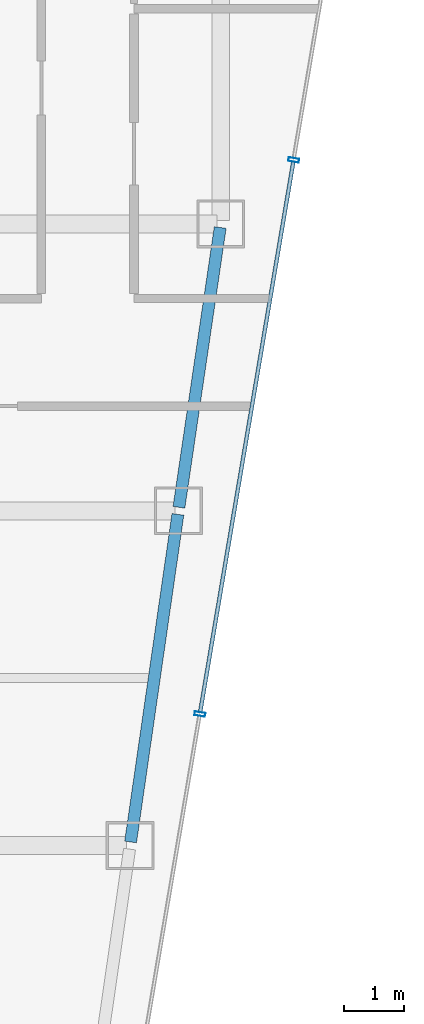
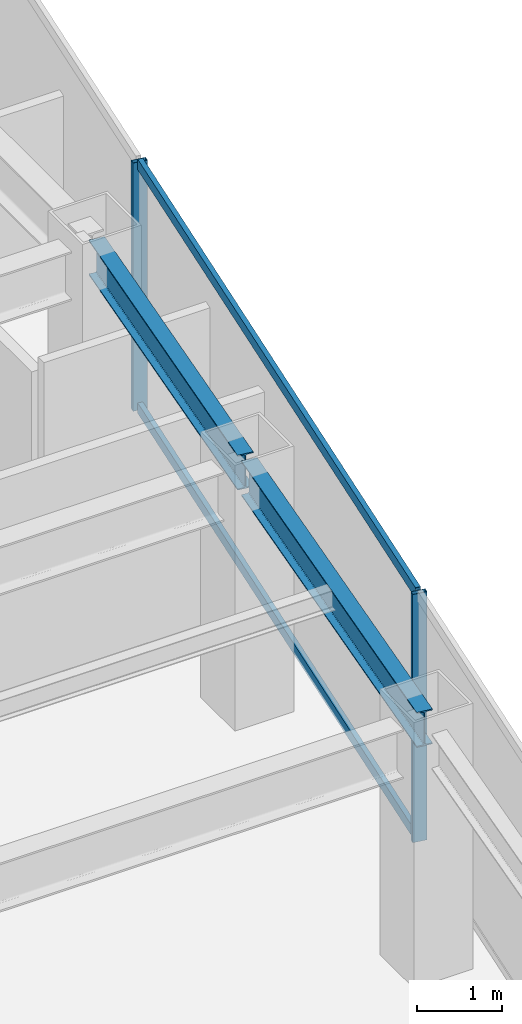
# One storey, part 22 of 35: 4 members, 2 beams, 1 element without a shape of its own.
"""IFC4 building model written with IfcOpenShell, lengths in metres."""

from ifc_helpers import new_model, si_unit, direction, frame, origin, origin_2d, place, context, subcontext, project, spatial, hollow_rectangle, i_section, extrude, material, material_profile, profile_set, type_object, element, aggregate, save


model = new_model("IFC4")

# Units and contexts
model_context = context("Model", 3, precision=1e-05, world=origin(), true_north=direction((0.0, 1.0)))
body_context = subcontext(model_context, "Body", "Model", "MODEL_VIEW")
ifc_project = project(units=[si_unit("LENGTHUNIT", "METRE"), si_unit("AREAUNIT", "SQUARE_METRE"), si_unit("VOLUMEUNIT", "CUBIC_METRE"), si_unit("PLANEANGLEUNIT", "RADIAN"), si_unit("MASSUNIT", "GRAM", prefix="KILO")], contexts=[model_context])

# Site, building, storey
site_placement = place(None, origin())
site = spatial("IfcSite", under=ifc_project, at=site_placement, CompositionType="ELEMENT")
building_placement = place(site_placement, origin())
building = spatial("IfcBuilding", under=site, at=building_placement, Name="Saevonmaru Cultural Tower", CompositionType="ELEMENT")
storey_placement = place(building_placement, frame((0.0, 0.0, 194.199951171875)))
storey = spatial("IfcBuildingStorey", under=building, at=storey_placement, Name="L44", CompositionType="ELEMENT", Elevation=194.199951171875)

# Beams
ifc_material_1 = material(Name="Steel SM355", Category="steel")
ifc_material_profile_1 = material_profile(ifc_material_1, i_section(OverallWidth=0.199951171875, OverallDepth=0.5, WebThickness=0.010009765625, FlangeThickness=0.01611328125, FilletRadius=0.02001953125, at=origin_2d()), Name="H-500x200x10x16")
ifc_profile_set_1 = profile_set([ifc_material_profile_1], Name="Steel SM355")
beam_type = type_object("IfcBeamType", Name="BM-SP-H500", PredefinedType="SPANDREL", material=ifc_profile_set_1)
beam_1_placement = place(storey_placement, frame((51.691650390625, 32.059326171875, 3.300048828125), z_axis=(0.142964121327, 0.989727871697, 0.0), x_axis=(-0.989727871697, 0.142964121327, 0.0)))
element("IfcBeam", 1, at=beam_1_placement, inside=storey, type_object=beam_type, Name="L44 East Splayed Spandrel 3", PredefinedType="SPANDREL", context=body_context, shape_type="SweptSolid", body=[
    extrude(i_section(OverallWidth=0.199951171875, OverallDepth=0.5, WebThickness=0.010009765625, FlangeThickness=0.01611328125, FilletRadius=0.02001953125, at=origin_2d()), origin(), (0.0, 0.0, 1.0), 5.5380859375),
])
beam_2_placement = place(storey_placement, frame((52.500732421875, 37.659423828125, 3.300048828125), z_axis=(0.145912860028, 0.989297446312, 0.0), x_axis=(-0.989297446312, 0.145912860028, 0.0)))
element("IfcBeam", 2, at=beam_2_placement, inside=storey, type_object=beam_type, Name="L44 East Splayed Spandrel 4", PredefinedType="SPANDREL", context=body_context, shape_type="SweptSolid", body=[
    extrude(i_section(OverallWidth=0.199951171875, OverallDepth=0.5, WebThickness=0.010009765625, FlangeThickness=0.01611328125, FilletRadius=0.02001953125, at=origin_2d()), origin(), (0.0, 0.0, 1.0), 4.731689453125),
])

# Curtain wall, members
ifc_material_2 = material(Name="Satin Bronze Anodised Aluminium", Category="aluminium")
curtain_wall_type = type_object("IfcCurtainWallType", Name="CW-TYP-B", PredefinedType="NOTDEFINED", material=ifc_material_2)
curtain_wall_placement = place(storey_placement, origin())
curtain_wall = element("IfcCurtainWall", 3, at=curtain_wall_placement, inside=storey, type_object=curtain_wall_type, Name="L44 Unitised Curtain Wall E8", PredefinedType="NOTDEFINED")
ifc_material_profile_2 = material_profile(ifc_material_2, hollow_rectangle(XDim=0.06494140625, YDim=0.179931640625, WallThickness=0.00390625, at=origin_2d()), Name="ALU-MULL-180x65x4")
ifc_profile_set_2 = profile_set([ifc_material_profile_2], Name="Satin Bronze Anodised Aluminium")
member_type_1 = type_object("IfcMemberType", Name="ML-CW-180x65", PredefinedType="MULLION", material=ifc_profile_set_2)
member_1_placement = place(storey_placement, frame((52.85107421875, 34.199951171875, 0.0), z_axis=(0.0, 0.0, 1.0), x_axis=(0.16692169721, 0.985970155228, 0.0)))
member_1 = element("IfcMember", 4, at=member_1_placement, type_object=member_type_1, Name="CW-TW-L44-E8 mullion 3", PredefinedType="MULLION", context=body_context, shape_type="SweptSolid", body=[
    extrude(hollow_rectangle(XDim=0.06494140625, YDim=0.179931640625, WallThickness=0.00390625, at=origin_2d()), origin(), (0.0, 0.0, 1.0), 3.550048828125),
])
member_2_placement = place(storey_placement, frame((54.420654296875, 43.470458984375, 0.0), z_axis=(0.0, 0.0, 1.0), x_axis=(0.16692169721, 0.985970155228, 0.0)))
member_2 = element("IfcMember", 5, at=member_2_placement, type_object=member_type_1, Name="CW-TW-L44-E8 mullion 4", PredefinedType="MULLION", context=body_context, shape_type="SweptSolid", body=[
    extrude(hollow_rectangle(XDim=0.06494140625, YDim=0.179931640625, WallThickness=0.00390625, at=origin_2d()), origin(), (0.0, 0.0, 1.0), 3.550048828125),
])
ifc_material_profile_3 = material_profile(ifc_material_2, hollow_rectangle(XDim=0.06494140625, YDim=0.14990234375, WallThickness=0.00390625, at=origin_2d()), Name="ALU-TRAN-150x65x4")
ifc_profile_set_3 = profile_set([ifc_material_profile_3], Name="Satin Bronze Anodised Aluminium")
member_type_2 = type_object("IfcMemberType", Name="TR-CW-150x65", PredefinedType="USERDEFINED", material=ifc_profile_set_3)
member_3_placement = place(storey_placement, frame((52.8564453125, 34.23193359375, 0.032470703125), z_axis=(0.166916960754, 0.985970957084, 0.0), x_axis=(-0.985970957084, 0.166916960754, 0.0)))
member_3 = element("IfcMember", 6, at=member_3_placement, type_object=member_type_2, Name="CW-TW-L44-E8 transom 3.1", ObjectType="TRANSOM", PredefinedType="USERDEFINED", context=body_context, shape_type="SweptSolid", body=[
    extrude(hollow_rectangle(XDim=0.06494140625, YDim=0.14990234375, WallThickness=0.00390625, at=origin_2d()), origin(), (0.0, 0.0, 1.0), 9.337646484375),
])
member_4_placement = place(storey_placement, frame((52.8564453125, 34.23193359375, 3.517578125), z_axis=(0.166916960754, 0.985970957084, 0.0), x_axis=(-0.985970957084, 0.166916960754, 0.0)))
member_4 = element("IfcMember", 7, at=member_4_placement, type_object=member_type_2, Name="CW-TW-L44-E8 transom 3.2", ObjectType="TRANSOM", PredefinedType="USERDEFINED", context=body_context, shape_type="SweptSolid", body=[
    extrude(hollow_rectangle(XDim=0.06494140625, YDim=0.14990234375, WallThickness=0.00390625, at=origin_2d()), origin(), (0.0, 0.0, 1.0), 9.337646484375),
])
aggregate(curtain_wall, [member_1, member_2, member_3, member_4])

save(model, "model.ifc")
